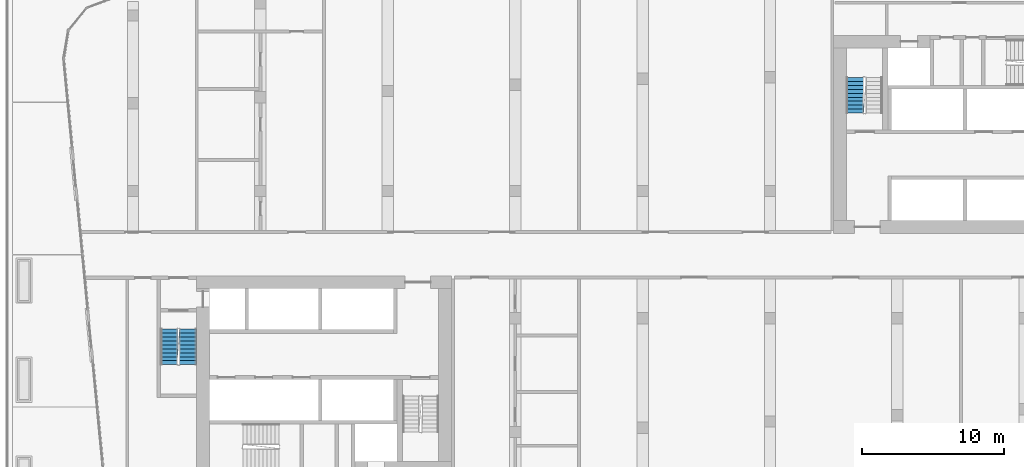
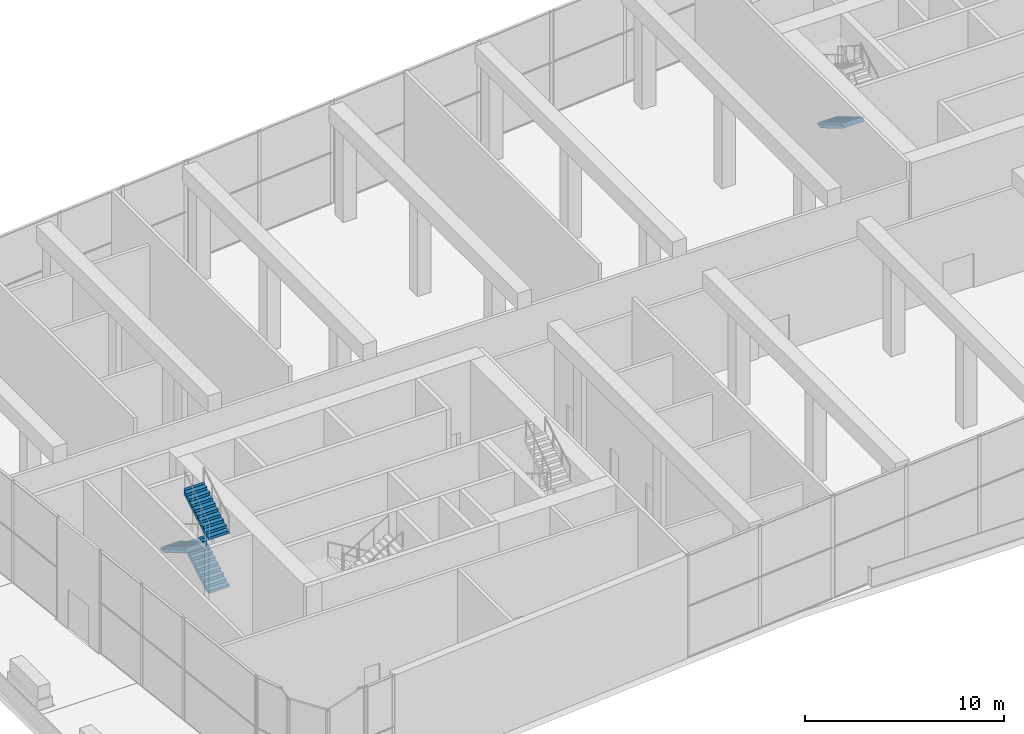
# One storey, part 19 of 25: 4 stair flights, 2 elements without a shape of their own.
"""IFC4 building model written with IfcOpenShell, lengths in metres."""

from ifc_helpers import new_model, si_unit, direction, frame, origin, place, context, subcontext, project, spatial, faceted_brep, material, type_object, element, aggregate, save


model = new_model("IFC4")

# Units and contexts
model_context = context("Model", 3, precision=1e-05, world=origin(), true_north=direction((0.0, 1.0)))
body_context = subcontext(model_context, "Body", "Model", "MODEL_VIEW")
ifc_project = project(units=[si_unit("LENGTHUNIT", "METRE"), si_unit("AREAUNIT", "SQUARE_METRE"), si_unit("VOLUMEUNIT", "CUBIC_METRE"), si_unit("PLANEANGLEUNIT", "RADIAN"), si_unit("MASSUNIT", "GRAM", prefix="KILO")], contexts=[model_context])

# Site, building, storey
site_placement = place(None, origin())
site = spatial("IfcSite", under=ifc_project, at=site_placement, CompositionType="ELEMENT")
building_placement = place(site_placement, origin())
building = spatial("IfcBuilding", under=site, at=building_placement, Name="Kajstack Hotel Tower", CompositionType="ELEMENT")
storey_placement = place(building_placement, frame((0.0, 0.0, 104.199951171875)))
storey = spatial("IfcBuildingStorey", under=building, at=storey_placement, Name="L22", CompositionType="ELEMENT", Elevation=104.199951171875)

# Stair, stair flights
ifc_material = material(Name="Concrete C40/50", Category="concrete")
stair_type = type_object("IfcStairType", Name="Exit stair 1200", PredefinedType="HALF_TURN_STAIR", material=ifc_material)
stair_1_placement = place(storey_placement, origin())
stair_1 = element("IfcStair", 1, at=stair_1_placement, inside=storey, type_object=stair_type, Name="L22 stair W1", PredefinedType="HALF_TURN_STAIR")
stair_flight_type = type_object("IfcStairFlightType", Name="Exit stair flight 1200", PredefinedType="STRAIGHT", material=ifc_material)
stair_flight_1_placement = place(storey_placement, frame((-32.10009765625, -7.77001953125, 1.650146484375), z_axis=(0.0, 0.0, 1.0), x_axis=(0.0, 1.0, 0.0)))
stair_flight_1 = element("IfcStairFlight", 2, at=stair_flight_1_placement, type_object=stair_flight_type, Name="W1 flight 2", NumberOfRisers=10, NumberOfTreads=9, PredefinedType="STRAIGHT", RiserHeight=0.165, TreadLength=0.28, context=body_context, shape_type="Brep", body=[
    faceted_brep([(0.295654296875, -0.60009765625, 0.0), (2.5205078125, -0.60009765625, 1.31103515625), (2.5205078125, -0.60009765625, 1.64990234375), (2.52001953125, -0.60009765625, 1.64990234375), (2.52001953125, -0.60009765625, 1.485107421875), (2.239990234375, -0.60009765625, 1.485107421875), (2.239990234375, -0.60009765625, 1.320068359375), (1.9599609375, -0.60009765625, 1.320068359375), (1.9599609375, -0.60009765625, 1.155029296875), (1.679931640625, -0.60009765625, 1.155029296875), (1.679931640625, -0.60009765625, 0.989990234375), (1.39990234375, -0.60009765625, 0.989990234375), (1.39990234375, -0.60009765625, 0.824951171875), (1.1201171875, -0.60009765625, 0.824951171875), (1.1201171875, -0.60009765625, 0.659912109375), (0.840087890625, -0.60009765625, 0.659912109375), (0.840087890625, -0.60009765625, 0.4951171875), (0.56005859375, -0.60009765625, 0.4951171875), (0.56005859375, -0.60009765625, 0.330078125), (0.280029296875, -0.60009765625, 0.330078125), (0.280029296875, -0.60009765625, 0.1650390625), (-0.00048828125, -0.60009765625, 0.1650390625), (-0.00048828125, -0.60009765625, 0.0), (-0.00048828125, 0.60009765625, 0.0), (-0.00048828125, 0.60009765625, 0.1650390625), (0.280029296875, 0.60009765625, 0.1650390625), (0.280029296875, 0.60009765625, 0.330078125), (0.56005859375, 0.60009765625, 0.330078125), (0.56005859375, 0.60009765625, 0.4951171875), (0.840087890625, 0.60009765625, 0.4951171875), (0.840087890625, 0.60009765625, 0.659912109375), (1.1201171875, 0.60009765625, 0.659912109375), (1.1201171875, 0.60009765625, 0.824951171875), (1.39990234375, 0.60009765625, 0.824951171875), (1.39990234375, 0.60009765625, 0.989990234375), (1.679931640625, 0.60009765625, 0.989990234375), (1.679931640625, 0.60009765625, 1.155029296875), (1.9599609375, 0.60009765625, 1.155029296875), (1.9599609375, 0.60009765625, 1.320068359375), (2.239990234375, 0.60009765625, 1.320068359375), (2.239990234375, 0.60009765625, 1.485107421875), (2.52001953125, 0.60009765625, 1.485107421875), (2.52001953125, 0.60009765625, 1.64990234375), (2.5205078125, 0.60009765625, 1.64990234375), (2.5205078125, 0.60009765625, 1.31103515625), (0.295654296875, 0.60009765625, 0.0), (-0.00048828125, -0.300048828125, 0.1650390625), (-0.00048828125, 0.0, 0.1650390625), (-0.00048828125, 0.300048828125, 0.1650390625), (-0.00048828125, 0.300048828125, 0.0), (-0.00048828125, 0.0, 0.0), (-0.00048828125, -0.300048828125, 0.0), (0.280029296875, -0.300048828125, 0.1650390625), (0.280029296875, 0.0, 0.1650390625), (0.280029296875, 0.300048828125, 0.1650390625), (0.280029296875, -0.300048828125, 0.330078125), (0.280029296875, 0.0, 0.330078125), (0.280029296875, 0.300048828125, 0.330078125), (0.56005859375, -0.300048828125, 0.330078125), (0.56005859375, 0.0, 0.330078125), (0.56005859375, 0.300048828125, 0.330078125), (0.56005859375, -0.300048828125, 0.4951171875), (0.56005859375, 0.0, 0.4951171875), (0.56005859375, 0.300048828125, 0.4951171875), (0.840087890625, -0.300048828125, 0.4951171875), (0.840087890625, 0.0, 0.4951171875), (0.840087890625, 0.300048828125, 0.4951171875), (0.840087890625, -0.300048828125, 0.659912109375), (0.840087890625, 0.0, 0.659912109375), (0.840087890625, 0.300048828125, 0.659912109375), (1.1201171875, -0.300048828125, 0.659912109375), (1.1201171875, 0.0, 0.659912109375), (1.1201171875, 0.300048828125, 0.659912109375), (1.1201171875, -0.300048828125, 0.824951171875), (1.1201171875, 0.0, 0.824951171875), (1.1201171875, 0.300048828125, 0.824951171875), (1.39990234375, -0.300048828125, 0.824951171875), (1.39990234375, 0.0, 0.824951171875), (1.39990234375, 0.300048828125, 0.824951171875), (1.39990234375, -0.300048828125, 0.989990234375), (1.39990234375, 0.0, 0.989990234375), (1.39990234375, 0.300048828125, 0.989990234375), (1.679931640625, -0.300048828125, 0.989990234375), (1.679931640625, 0.0, 0.989990234375), (1.679931640625, 0.300048828125, 0.989990234375), (1.679931640625, -0.300048828125, 1.155029296875), (1.679931640625, 0.0, 1.155029296875), (1.679931640625, 0.300048828125, 1.155029296875), (1.9599609375, -0.300048828125, 1.155029296875), (1.9599609375, 0.0, 1.155029296875), (1.9599609375, 0.300048828125, 1.155029296875), (1.9599609375, -0.300048828125, 1.320068359375), (1.9599609375, 0.0, 1.320068359375), (1.9599609375, 0.300048828125, 1.320068359375), (2.239990234375, -0.300048828125, 1.320068359375), (2.239990234375, 0.0, 1.320068359375), (2.239990234375, 0.300048828125, 1.320068359375), (2.239990234375, -0.300048828125, 1.485107421875), (2.239990234375, 0.0, 1.485107421875), (2.239990234375, 0.300048828125, 1.485107421875), (2.52001953125, -0.300048828125, 1.485107421875), (2.52001953125, 0.0, 1.485107421875), (2.52001953125, 0.300048828125, 1.485107421875), (2.52001953125, -0.300048828125, 1.64990234375), (2.52001953125, 0.0, 1.64990234375), (2.52001953125, 0.300048828125, 1.64990234375), (2.5205078125, -0.300048828125, 1.64990234375), (2.5205078125, 0.0, 1.64990234375), (2.5205078125, 0.300048828125, 1.64990234375), (2.5205078125, -0.300048828125, 1.31103515625), (2.5205078125, 0.0, 1.31103515625), (2.5205078125, 0.300048828125, 1.31103515625), (0.295654296875, -0.300048828125, 0.0), (0.295654296875, 0.0, 0.0), (0.295654296875, 0.300048828125, 0.0)], [[[0, 1, 2, 3, 4, 5, 6, 7, 8, 9, 10, 11, 12, 13, 14, 15, 16, 17, 18, 19, 20, 21, 22]], [[23, 24, 25, 26, 27, 28, 29, 30, 31, 32, 33, 34, 35, 36, 37, 38, 39, 40, 41, 42, 43, 44, 45]], [[21, 46, 47, 48, 24, 23, 49, 50, 51, 22]], [[20, 52, 53, 54, 25, 24, 48, 47, 46, 21]], [[19, 55, 56, 57, 26, 25, 54, 53, 52, 20]], [[18, 58, 59, 60, 27, 26, 57, 56, 55, 19]], [[17, 61, 62, 63, 28, 27, 60, 59, 58, 18]], [[16, 64, 65, 66, 29, 28, 63, 62, 61, 17]], [[15, 67, 68, 69, 30, 29, 66, 65, 64, 16]], [[14, 70, 71, 72, 31, 30, 69, 68, 67, 15]], [[13, 73, 74, 75, 32, 31, 72, 71, 70, 14]], [[12, 76, 77, 78, 33, 32, 75, 74, 73, 13]], [[11, 79, 80, 81, 34, 33, 78, 77, 76, 12]], [[10, 82, 83, 84, 35, 34, 81, 80, 79, 11]], [[9, 85, 86, 87, 36, 35, 84, 83, 82, 10]], [[8, 88, 89, 90, 37, 36, 87, 86, 85, 9]], [[7, 91, 92, 93, 38, 37, 90, 89, 88, 8]], [[6, 94, 95, 96, 39, 38, 93, 92, 91, 7]], [[5, 97, 98, 99, 40, 39, 96, 95, 94, 6]], [[4, 100, 101, 102, 41, 40, 99, 98, 97, 5]], [[3, 103, 104, 105, 42, 41, 102, 101, 100, 4]], [[2, 106, 107, 108, 43, 42, 105, 104, 103, 3]], [[1, 109, 110, 111, 44, 43, 108, 107, 106, 2]], [[0, 112, 113, 114, 45, 44, 111, 110, 109, 1]], [[22, 51, 50, 49, 23, 45, 114, 113, 112, 0]]]),
])
stair_flight_2_placement = place(storey_placement, frame((-33.449951171875, -5.25, 3.300048828125), z_axis=(0.0, 0.0, 1.0), x_axis=(0.0, -1.0, 0.0)))
stair_flight_2 = element("IfcStairFlight", 3, at=stair_flight_2_placement, type_object=stair_flight_type, Name="W1 flight 3", NumberOfRisers=10, NumberOfTreads=9, PredefinedType="STRAIGHT", RiserHeight=0.165, TreadLength=0.28, context=body_context, shape_type="Brep", body=[
    faceted_brep([(0.295654296875, -0.60009765625, 0.0), (2.5205078125, -0.60009765625, 1.31103515625), (2.5205078125, -0.60009765625, 1.64990234375), (2.52001953125, -0.60009765625, 1.64990234375), (2.52001953125, -0.60009765625, 1.485107421875), (2.239990234375, -0.60009765625, 1.485107421875), (2.239990234375, -0.60009765625, 1.320068359375), (1.9599609375, -0.60009765625, 1.320068359375), (1.9599609375, -0.60009765625, 1.155029296875), (1.679931640625, -0.60009765625, 1.155029296875), (1.679931640625, -0.60009765625, 0.989990234375), (1.39990234375, -0.60009765625, 0.989990234375), (1.39990234375, -0.60009765625, 0.824951171875), (1.1201171875, -0.60009765625, 0.824951171875), (1.1201171875, -0.60009765625, 0.659912109375), (0.840087890625, -0.60009765625, 0.659912109375), (0.840087890625, -0.60009765625, 0.4951171875), (0.56005859375, -0.60009765625, 0.4951171875), (0.56005859375, -0.60009765625, 0.330078125), (0.280029296875, -0.60009765625, 0.330078125), (0.280029296875, -0.60009765625, 0.1650390625), (-0.00048828125, -0.60009765625, 0.1650390625), (-0.00048828125, -0.60009765625, 0.0), (-0.00048828125, 0.60009765625, 0.0), (-0.00048828125, 0.60009765625, 0.1650390625), (0.280029296875, 0.60009765625, 0.1650390625), (0.280029296875, 0.60009765625, 0.330078125), (0.56005859375, 0.60009765625, 0.330078125), (0.56005859375, 0.60009765625, 0.4951171875), (0.840087890625, 0.60009765625, 0.4951171875), (0.840087890625, 0.60009765625, 0.659912109375), (1.1201171875, 0.60009765625, 0.659912109375), (1.1201171875, 0.60009765625, 0.824951171875), (1.39990234375, 0.60009765625, 0.824951171875), (1.39990234375, 0.60009765625, 0.989990234375), (1.679931640625, 0.60009765625, 0.989990234375), (1.679931640625, 0.60009765625, 1.155029296875), (1.9599609375, 0.60009765625, 1.155029296875), (1.9599609375, 0.60009765625, 1.320068359375), (2.239990234375, 0.60009765625, 1.320068359375), (2.239990234375, 0.60009765625, 1.485107421875), (2.52001953125, 0.60009765625, 1.485107421875), (2.52001953125, 0.60009765625, 1.64990234375), (2.5205078125, 0.60009765625, 1.64990234375), (2.5205078125, 0.60009765625, 1.31103515625), (0.295654296875, 0.60009765625, 0.0), (-0.00048828125, -0.300048828125, 0.1650390625), (-0.00048828125, 0.0, 0.1650390625), (-0.00048828125, 0.300048828125, 0.1650390625), (-0.00048828125, 0.300048828125, 0.0), (-0.00048828125, 0.0, 0.0), (-0.00048828125, -0.300048828125, 0.0), (0.280029296875, -0.300048828125, 0.1650390625), (0.280029296875, 0.0, 0.1650390625), (0.280029296875, 0.300048828125, 0.1650390625), (0.280029296875, -0.300048828125, 0.330078125), (0.280029296875, 0.0, 0.330078125), (0.280029296875, 0.300048828125, 0.330078125), (0.56005859375, -0.300048828125, 0.330078125), (0.56005859375, 0.0, 0.330078125), (0.56005859375, 0.300048828125, 0.330078125), (0.56005859375, -0.300048828125, 0.4951171875), (0.56005859375, 0.0, 0.4951171875), (0.56005859375, 0.300048828125, 0.4951171875), (0.840087890625, -0.300048828125, 0.4951171875), (0.840087890625, 0.0, 0.4951171875), (0.840087890625, 0.300048828125, 0.4951171875), (0.840087890625, -0.300048828125, 0.659912109375), (0.840087890625, 0.0, 0.659912109375), (0.840087890625, 0.300048828125, 0.659912109375), (1.1201171875, -0.300048828125, 0.659912109375), (1.1201171875, 0.0, 0.659912109375), (1.1201171875, 0.300048828125, 0.659912109375), (1.1201171875, -0.300048828125, 0.824951171875), (1.1201171875, 0.0, 0.824951171875), (1.1201171875, 0.300048828125, 0.824951171875), (1.39990234375, -0.300048828125, 0.824951171875), (1.39990234375, 0.0, 0.824951171875), (1.39990234375, 0.300048828125, 0.824951171875), (1.39990234375, -0.300048828125, 0.989990234375), (1.39990234375, 0.0, 0.989990234375), (1.39990234375, 0.300048828125, 0.989990234375), (1.679931640625, -0.300048828125, 0.989990234375), (1.679931640625, 0.0, 0.989990234375), (1.679931640625, 0.300048828125, 0.989990234375), (1.679931640625, -0.300048828125, 1.155029296875), (1.679931640625, 0.0, 1.155029296875), (1.679931640625, 0.300048828125, 1.155029296875), (1.9599609375, -0.300048828125, 1.155029296875), (1.9599609375, 0.0, 1.155029296875), (1.9599609375, 0.300048828125, 1.155029296875), (1.9599609375, -0.300048828125, 1.320068359375), (1.9599609375, 0.0, 1.320068359375), (1.9599609375, 0.300048828125, 1.320068359375), (2.239990234375, -0.300048828125, 1.320068359375), (2.239990234375, 0.0, 1.320068359375), (2.239990234375, 0.300048828125, 1.320068359375), (2.239990234375, -0.300048828125, 1.485107421875), (2.239990234375, 0.0, 1.485107421875), (2.239990234375, 0.300048828125, 1.485107421875), (2.52001953125, -0.300048828125, 1.485107421875), (2.52001953125, 0.0, 1.485107421875), (2.52001953125, 0.300048828125, 1.485107421875), (2.52001953125, -0.300048828125, 1.64990234375), (2.52001953125, 0.0, 1.64990234375), (2.52001953125, 0.300048828125, 1.64990234375), (2.5205078125, -0.300048828125, 1.64990234375), (2.5205078125, 0.0, 1.64990234375), (2.5205078125, 0.300048828125, 1.64990234375), (2.5205078125, -0.300048828125, 1.31103515625), (2.5205078125, 0.0, 1.31103515625), (2.5205078125, 0.300048828125, 1.31103515625), (0.295654296875, -0.300048828125, 0.0), (0.295654296875, 0.0, 0.0), (0.295654296875, 0.300048828125, 0.0)], [[[0, 1, 2, 3, 4, 5, 6, 7, 8, 9, 10, 11, 12, 13, 14, 15, 16, 17, 18, 19, 20, 21, 22]], [[23, 24, 25, 26, 27, 28, 29, 30, 31, 32, 33, 34, 35, 36, 37, 38, 39, 40, 41, 42, 43, 44, 45]], [[21, 46, 47, 48, 24, 23, 49, 50, 51, 22]], [[20, 52, 53, 54, 25, 24, 48, 47, 46, 21]], [[19, 55, 56, 57, 26, 25, 54, 53, 52, 20]], [[18, 58, 59, 60, 27, 26, 57, 56, 55, 19]], [[17, 61, 62, 63, 28, 27, 60, 59, 58, 18]], [[16, 64, 65, 66, 29, 28, 63, 62, 61, 17]], [[15, 67, 68, 69, 30, 29, 66, 65, 64, 16]], [[14, 70, 71, 72, 31, 30, 69, 68, 67, 15]], [[13, 73, 74, 75, 32, 31, 72, 71, 70, 14]], [[12, 76, 77, 78, 33, 32, 75, 74, 73, 13]], [[11, 79, 80, 81, 34, 33, 78, 77, 76, 12]], [[10, 82, 83, 84, 35, 34, 81, 80, 79, 11]], [[9, 85, 86, 87, 36, 35, 84, 83, 82, 10]], [[8, 88, 89, 90, 37, 36, 87, 86, 85, 9]], [[7, 91, 92, 93, 38, 37, 90, 89, 88, 8]], [[6, 94, 95, 96, 39, 38, 93, 92, 91, 7]], [[5, 97, 98, 99, 40, 39, 96, 95, 94, 6]], [[4, 100, 101, 102, 41, 40, 99, 98, 97, 5]], [[3, 103, 104, 105, 42, 41, 102, 101, 100, 4]], [[2, 106, 107, 108, 43, 42, 105, 104, 103, 3]], [[1, 109, 110, 111, 44, 43, 108, 107, 106, 2]], [[0, 112, 113, 114, 45, 44, 111, 110, 109, 1]], [[22, 51, 50, 49, 23, 45, 114, 113, 112, 0]]]),
])
stair_flight_3_placement = place(storey_placement, frame((-32.10009765625, -7.77001953125, 4.949951171875), z_axis=(0.0, 0.0, 1.0), x_axis=(0.0, 1.0, 0.0)))
stair_flight_3 = element("IfcStairFlight", 4, at=stair_flight_3_placement, type_object=stair_flight_type, Name="W1 flight 4", NumberOfRisers=10, NumberOfTreads=9, PredefinedType="STRAIGHT", RiserHeight=0.165, TreadLength=0.28, context=body_context, shape_type="Brep", body=[
    faceted_brep([(0.295654296875, -0.60009765625, 0.0), (2.5205078125, -0.60009765625, 1.31103515625), (2.5205078125, -0.60009765625, 1.64990234375), (2.52001953125, -0.60009765625, 1.64990234375), (2.52001953125, -0.60009765625, 1.485107421875), (2.239990234375, -0.60009765625, 1.485107421875), (2.239990234375, -0.60009765625, 1.320068359375), (1.9599609375, -0.60009765625, 1.320068359375), (1.9599609375, -0.60009765625, 1.155029296875), (1.679931640625, -0.60009765625, 1.155029296875), (1.679931640625, -0.60009765625, 0.989990234375), (1.39990234375, -0.60009765625, 0.989990234375), (1.39990234375, -0.60009765625, 0.824951171875), (1.1201171875, -0.60009765625, 0.824951171875), (1.1201171875, -0.60009765625, 0.659912109375), (0.840087890625, -0.60009765625, 0.659912109375), (0.840087890625, -0.60009765625, 0.4951171875), (0.56005859375, -0.60009765625, 0.4951171875), (0.56005859375, -0.60009765625, 0.330078125), (0.280029296875, -0.60009765625, 0.330078125), (0.280029296875, -0.60009765625, 0.1650390625), (-0.00048828125, -0.60009765625, 0.1650390625), (-0.00048828125, -0.60009765625, 0.0), (-0.00048828125, 0.60009765625, 0.0), (-0.00048828125, 0.60009765625, 0.1650390625), (0.280029296875, 0.60009765625, 0.1650390625), (0.280029296875, 0.60009765625, 0.330078125), (0.56005859375, 0.60009765625, 0.330078125), (0.56005859375, 0.60009765625, 0.4951171875), (0.840087890625, 0.60009765625, 0.4951171875), (0.840087890625, 0.60009765625, 0.659912109375), (1.1201171875, 0.60009765625, 0.659912109375), (1.1201171875, 0.60009765625, 0.824951171875), (1.39990234375, 0.60009765625, 0.824951171875), (1.39990234375, 0.60009765625, 0.989990234375), (1.679931640625, 0.60009765625, 0.989990234375), (1.679931640625, 0.60009765625, 1.155029296875), (1.9599609375, 0.60009765625, 1.155029296875), (1.9599609375, 0.60009765625, 1.320068359375), (2.239990234375, 0.60009765625, 1.320068359375), (2.239990234375, 0.60009765625, 1.485107421875), (2.52001953125, 0.60009765625, 1.485107421875), (2.52001953125, 0.60009765625, 1.64990234375), (2.5205078125, 0.60009765625, 1.64990234375), (2.5205078125, 0.60009765625, 1.31103515625), (0.295654296875, 0.60009765625, 0.0), (-0.00048828125, -0.300048828125, 0.1650390625), (-0.00048828125, 0.0, 0.1650390625), (-0.00048828125, 0.300048828125, 0.1650390625), (-0.00048828125, 0.300048828125, 0.0), (-0.00048828125, 0.0, 0.0), (-0.00048828125, -0.300048828125, 0.0), (0.280029296875, -0.300048828125, 0.1650390625), (0.280029296875, 0.0, 0.1650390625), (0.280029296875, 0.300048828125, 0.1650390625), (0.280029296875, -0.300048828125, 0.330078125), (0.280029296875, 0.0, 0.330078125), (0.280029296875, 0.300048828125, 0.330078125), (0.56005859375, -0.300048828125, 0.330078125), (0.56005859375, 0.0, 0.330078125), (0.56005859375, 0.300048828125, 0.330078125), (0.56005859375, -0.300048828125, 0.4951171875), (0.56005859375, 0.0, 0.4951171875), (0.56005859375, 0.300048828125, 0.4951171875), (0.840087890625, -0.300048828125, 0.4951171875), (0.840087890625, 0.0, 0.4951171875), (0.840087890625, 0.300048828125, 0.4951171875), (0.840087890625, -0.300048828125, 0.659912109375), (0.840087890625, 0.0, 0.659912109375), (0.840087890625, 0.300048828125, 0.659912109375), (1.1201171875, -0.300048828125, 0.659912109375), (1.1201171875, 0.0, 0.659912109375), (1.1201171875, 0.300048828125, 0.659912109375), (1.1201171875, -0.300048828125, 0.824951171875), (1.1201171875, 0.0, 0.824951171875), (1.1201171875, 0.300048828125, 0.824951171875), (1.39990234375, -0.300048828125, 0.824951171875), (1.39990234375, 0.0, 0.824951171875), (1.39990234375, 0.300048828125, 0.824951171875), (1.39990234375, -0.300048828125, 0.989990234375), (1.39990234375, 0.0, 0.989990234375), (1.39990234375, 0.300048828125, 0.989990234375), (1.679931640625, -0.300048828125, 0.989990234375), (1.679931640625, 0.0, 0.989990234375), (1.679931640625, 0.300048828125, 0.989990234375), (1.679931640625, -0.300048828125, 1.155029296875), (1.679931640625, 0.0, 1.155029296875), (1.679931640625, 0.300048828125, 1.155029296875), (1.9599609375, -0.300048828125, 1.155029296875), (1.9599609375, 0.0, 1.155029296875), (1.9599609375, 0.300048828125, 1.155029296875), (1.9599609375, -0.300048828125, 1.320068359375), (1.9599609375, 0.0, 1.320068359375), (1.9599609375, 0.300048828125, 1.320068359375), (2.239990234375, -0.300048828125, 1.320068359375), (2.239990234375, 0.0, 1.320068359375), (2.239990234375, 0.300048828125, 1.320068359375), (2.239990234375, -0.300048828125, 1.485107421875), (2.239990234375, 0.0, 1.485107421875), (2.239990234375, 0.300048828125, 1.485107421875), (2.52001953125, -0.300048828125, 1.485107421875), (2.52001953125, 0.0, 1.485107421875), (2.52001953125, 0.300048828125, 1.485107421875), (2.52001953125, -0.300048828125, 1.64990234375), (2.52001953125, 0.0, 1.64990234375), (2.52001953125, 0.300048828125, 1.64990234375), (2.5205078125, -0.300048828125, 1.64990234375), (2.5205078125, 0.0, 1.64990234375), (2.5205078125, 0.300048828125, 1.64990234375), (2.5205078125, -0.300048828125, 1.31103515625), (2.5205078125, 0.0, 1.31103515625), (2.5205078125, 0.300048828125, 1.31103515625), (0.295654296875, -0.300048828125, 0.0), (0.295654296875, 0.0, 0.0), (0.295654296875, 0.300048828125, 0.0)], [[[0, 1, 2, 3, 4, 5, 6, 7, 8, 9, 10, 11, 12, 13, 14, 15, 16, 17, 18, 19, 20, 21, 22]], [[23, 24, 25, 26, 27, 28, 29, 30, 31, 32, 33, 34, 35, 36, 37, 38, 39, 40, 41, 42, 43, 44, 45]], [[21, 46, 47, 48, 24, 23, 49, 50, 51, 22]], [[20, 52, 53, 54, 25, 24, 48, 47, 46, 21]], [[19, 55, 56, 57, 26, 25, 54, 53, 52, 20]], [[18, 58, 59, 60, 27, 26, 57, 56, 55, 19]], [[17, 61, 62, 63, 28, 27, 60, 59, 58, 18]], [[16, 64, 65, 66, 29, 28, 63, 62, 61, 17]], [[15, 67, 68, 69, 30, 29, 66, 65, 64, 16]], [[14, 70, 71, 72, 31, 30, 69, 68, 67, 15]], [[13, 73, 74, 75, 32, 31, 72, 71, 70, 14]], [[12, 76, 77, 78, 33, 32, 75, 74, 73, 13]], [[11, 79, 80, 81, 34, 33, 78, 77, 76, 12]], [[10, 82, 83, 84, 35, 34, 81, 80, 79, 11]], [[9, 85, 86, 87, 36, 35, 84, 83, 82, 10]], [[8, 88, 89, 90, 37, 36, 87, 86, 85, 9]], [[7, 91, 92, 93, 38, 37, 90, 89, 88, 8]], [[6, 94, 95, 96, 39, 38, 93, 92, 91, 7]], [[5, 97, 98, 99, 40, 39, 96, 95, 94, 6]], [[4, 100, 101, 102, 41, 40, 99, 98, 97, 5]], [[3, 103, 104, 105, 42, 41, 102, 101, 100, 4]], [[2, 106, 107, 108, 43, 42, 105, 104, 103, 3]], [[1, 109, 110, 111, 44, 43, 108, 107, 106, 2]], [[0, 112, 113, 114, 45, 44, 111, 110, 109, 1]], [[22, 51, 50, 49, 23, 45, 114, 113, 112, 0]]]),
])
aggregate(stair_1, [stair_flight_1, stair_flight_2, stair_flight_3])

# Stair, stair flight
stair_2_placement = place(storey_placement, origin())
stair_2 = element("IfcStair", 5, at=stair_2_placement, inside=storey, type_object=stair_type, Name="L22 stair E2", PredefinedType="HALF_TURN_STAIR")
stair_flight_4_placement = place(storey_placement, frame((15.0, 12.52001953125, 1.650146484375), z_axis=(0.0, 0.0, 1.0), x_axis=(0.0, -1.0, 0.0)))
stair_flight_4 = element("IfcStairFlight", 6, at=stair_flight_4_placement, type_object=stair_flight_type, Name="E2 flight 2", NumberOfRisers=10, NumberOfTreads=9, PredefinedType="STRAIGHT", RiserHeight=0.165, TreadLength=0.28, context=body_context, shape_type="Brep", body=[
    faceted_brep([(0.295654296875, -0.60009765625, 0.0), (2.5205078125, -0.60009765625, 1.31103515625), (2.5205078125, -0.60009765625, 1.64990234375), (2.52001953125, -0.60009765625, 1.64990234375), (2.52001953125, -0.60009765625, 1.485107421875), (2.239990234375, -0.60009765625, 1.485107421875), (2.239990234375, -0.60009765625, 1.320068359375), (1.9599609375, -0.60009765625, 1.320068359375), (1.9599609375, -0.60009765625, 1.155029296875), (1.679931640625, -0.60009765625, 1.155029296875), (1.679931640625, -0.60009765625, 0.989990234375), (1.39990234375, -0.60009765625, 0.989990234375), (1.39990234375, -0.60009765625, 0.824951171875), (1.1201171875, -0.60009765625, 0.824951171875), (1.1201171875, -0.60009765625, 0.659912109375), (0.840087890625, -0.60009765625, 0.659912109375), (0.840087890625, -0.60009765625, 0.4951171875), (0.56005859375, -0.60009765625, 0.4951171875), (0.56005859375, -0.60009765625, 0.330078125), (0.280029296875, -0.60009765625, 0.330078125), (0.280029296875, -0.60009765625, 0.1650390625), (-0.00048828125, -0.60009765625, 0.1650390625), (-0.00048828125, -0.60009765625, 0.0), (-0.00048828125, 0.60009765625, 0.0), (-0.00048828125, 0.60009765625, 0.1650390625), (0.280029296875, 0.60009765625, 0.1650390625), (0.280029296875, 0.60009765625, 0.330078125), (0.56005859375, 0.60009765625, 0.330078125), (0.56005859375, 0.60009765625, 0.4951171875), (0.840087890625, 0.60009765625, 0.4951171875), (0.840087890625, 0.60009765625, 0.659912109375), (1.1201171875, 0.60009765625, 0.659912109375), (1.1201171875, 0.60009765625, 0.824951171875), (1.39990234375, 0.60009765625, 0.824951171875), (1.39990234375, 0.60009765625, 0.989990234375), (1.679931640625, 0.60009765625, 0.989990234375), (1.679931640625, 0.60009765625, 1.155029296875), (1.9599609375, 0.60009765625, 1.155029296875), (1.9599609375, 0.60009765625, 1.320068359375), (2.239990234375, 0.60009765625, 1.320068359375), (2.239990234375, 0.60009765625, 1.485107421875), (2.52001953125, 0.60009765625, 1.485107421875), (2.52001953125, 0.60009765625, 1.64990234375), (2.5205078125, 0.60009765625, 1.64990234375), (2.5205078125, 0.60009765625, 1.31103515625), (0.295654296875, 0.60009765625, 0.0), (-0.00048828125, -0.300048828125, 0.1650390625), (-0.00048828125, 0.0, 0.1650390625), (-0.00048828125, 0.300048828125, 0.1650390625), (-0.00048828125, 0.300048828125, 0.0), (-0.00048828125, 0.0, 0.0), (-0.00048828125, -0.300048828125, 0.0), (0.280029296875, -0.300048828125, 0.1650390625), (0.280029296875, 0.0, 0.1650390625), (0.280029296875, 0.300048828125, 0.1650390625), (0.280029296875, -0.300048828125, 0.330078125), (0.280029296875, 0.0, 0.330078125), (0.280029296875, 0.300048828125, 0.330078125), (0.56005859375, -0.300048828125, 0.330078125), (0.56005859375, 0.0, 0.330078125), (0.56005859375, 0.300048828125, 0.330078125), (0.56005859375, -0.300048828125, 0.4951171875), (0.56005859375, 0.0, 0.4951171875), (0.56005859375, 0.300048828125, 0.4951171875), (0.840087890625, -0.300048828125, 0.4951171875), (0.840087890625, 0.0, 0.4951171875), (0.840087890625, 0.300048828125, 0.4951171875), (0.840087890625, -0.300048828125, 0.659912109375), (0.840087890625, 0.0, 0.659912109375), (0.840087890625, 0.300048828125, 0.659912109375), (1.1201171875, -0.300048828125, 0.659912109375), (1.1201171875, 0.0, 0.659912109375), (1.1201171875, 0.300048828125, 0.659912109375), (1.1201171875, -0.300048828125, 0.824951171875), (1.1201171875, 0.0, 0.824951171875), (1.1201171875, 0.300048828125, 0.824951171875), (1.39990234375, -0.300048828125, 0.824951171875), (1.39990234375, 0.0, 0.824951171875), (1.39990234375, 0.300048828125, 0.824951171875), (1.39990234375, -0.300048828125, 0.989990234375), (1.39990234375, 0.0, 0.989990234375), (1.39990234375, 0.300048828125, 0.989990234375), (1.679931640625, -0.300048828125, 0.989990234375), (1.679931640625, 0.0, 0.989990234375), (1.679931640625, 0.300048828125, 0.989990234375), (1.679931640625, -0.300048828125, 1.155029296875), (1.679931640625, 0.0, 1.155029296875), (1.679931640625, 0.300048828125, 1.155029296875), (1.9599609375, -0.300048828125, 1.155029296875), (1.9599609375, 0.0, 1.155029296875), (1.9599609375, 0.300048828125, 1.155029296875), (1.9599609375, -0.300048828125, 1.320068359375), (1.9599609375, 0.0, 1.320068359375), (1.9599609375, 0.300048828125, 1.320068359375), (2.239990234375, -0.300048828125, 1.320068359375), (2.239990234375, 0.0, 1.320068359375), (2.239990234375, 0.300048828125, 1.320068359375), (2.239990234375, -0.300048828125, 1.485107421875), (2.239990234375, 0.0, 1.485107421875), (2.239990234375, 0.300048828125, 1.485107421875), (2.52001953125, -0.300048828125, 1.485107421875), (2.52001953125, 0.0, 1.485107421875), (2.52001953125, 0.300048828125, 1.485107421875), (2.52001953125, -0.300048828125, 1.64990234375), (2.52001953125, 0.0, 1.64990234375), (2.52001953125, 0.300048828125, 1.64990234375), (2.5205078125, -0.300048828125, 1.64990234375), (2.5205078125, 0.0, 1.64990234375), (2.5205078125, 0.300048828125, 1.64990234375), (2.5205078125, -0.300048828125, 1.31103515625), (2.5205078125, 0.0, 1.31103515625), (2.5205078125, 0.300048828125, 1.31103515625), (0.295654296875, -0.300048828125, 0.0), (0.295654296875, 0.0, 0.0), (0.295654296875, 0.300048828125, 0.0)], [[[0, 1, 2, 3, 4, 5, 6, 7, 8, 9, 10, 11, 12, 13, 14, 15, 16, 17, 18, 19, 20, 21, 22]], [[23, 24, 25, 26, 27, 28, 29, 30, 31, 32, 33, 34, 35, 36, 37, 38, 39, 40, 41, 42, 43, 44, 45]], [[21, 46, 47, 48, 24, 23, 49, 50, 51, 22]], [[20, 52, 53, 54, 25, 24, 48, 47, 46, 21]], [[19, 55, 56, 57, 26, 25, 54, 53, 52, 20]], [[18, 58, 59, 60, 27, 26, 57, 56, 55, 19]], [[17, 61, 62, 63, 28, 27, 60, 59, 58, 18]], [[16, 64, 65, 66, 29, 28, 63, 62, 61, 17]], [[15, 67, 68, 69, 30, 29, 66, 65, 64, 16]], [[14, 70, 71, 72, 31, 30, 69, 68, 67, 15]], [[13, 73, 74, 75, 32, 31, 72, 71, 70, 14]], [[12, 76, 77, 78, 33, 32, 75, 74, 73, 13]], [[11, 79, 80, 81, 34, 33, 78, 77, 76, 12]], [[10, 82, 83, 84, 35, 34, 81, 80, 79, 11]], [[9, 85, 86, 87, 36, 35, 84, 83, 82, 10]], [[8, 88, 89, 90, 37, 36, 87, 86, 85, 9]], [[7, 91, 92, 93, 38, 37, 90, 89, 88, 8]], [[6, 94, 95, 96, 39, 38, 93, 92, 91, 7]], [[5, 97, 98, 99, 40, 39, 96, 95, 94, 6]], [[4, 100, 101, 102, 41, 40, 99, 98, 97, 5]], [[3, 103, 104, 105, 42, 41, 102, 101, 100, 4]], [[2, 106, 107, 108, 43, 42, 105, 104, 103, 3]], [[1, 109, 110, 111, 44, 43, 108, 107, 106, 2]], [[0, 112, 113, 114, 45, 44, 111, 110, 109, 1]], [[22, 51, 50, 49, 23, 45, 114, 113, 112, 0]]]),
])
aggregate(stair_2, [stair_flight_4])

save(model, "model.ifc")
